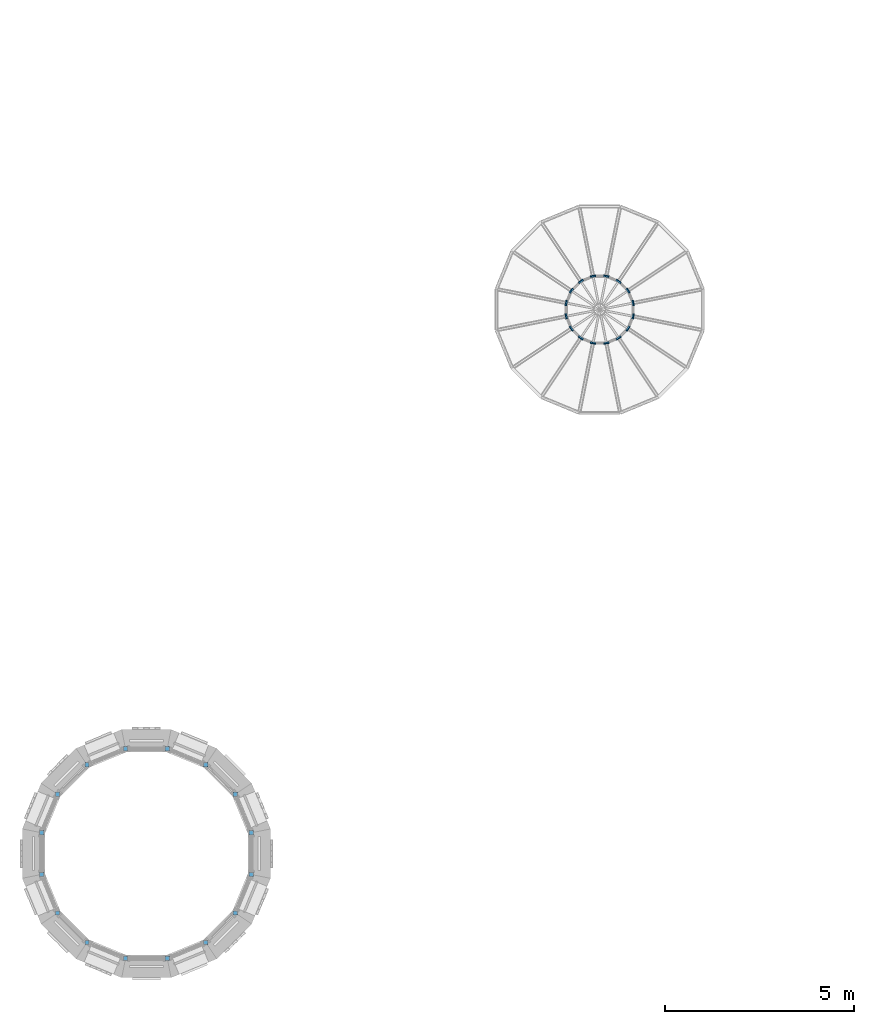
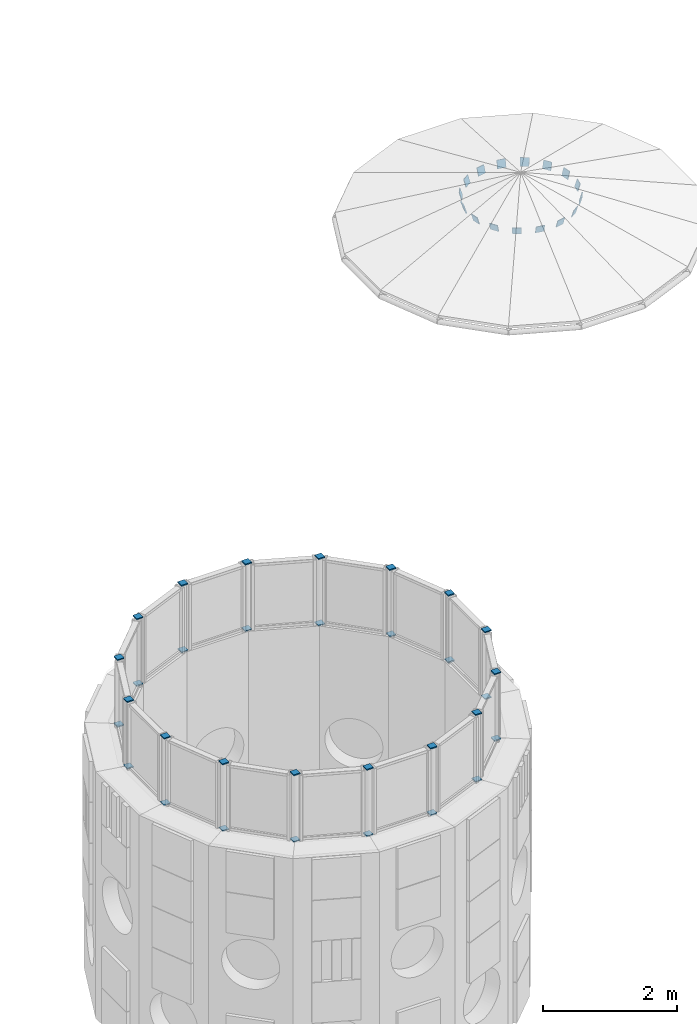
# One storey, part 29 of 36: 48 discrete accessories.
"""IFC4 building model written with IfcOpenShell, lengths in metres."""

from ifc_helpers import new_model, si_unit, direction, frame, origin, origin_2d, place, context, subcontext, project, spatial, rectangle, extrude, material, material_profile, profile_set, type_object, element, save


model = new_model("IFC4")

# Units and contexts
model_context = context("Model", 3, precision=1e-05, world=origin(), true_north=direction((0.0, 1.0)))
body_context = subcontext(model_context, "Body", "Model", "MODEL_VIEW")
ifc_project = project(units=[si_unit("LENGTHUNIT", "METRE"), si_unit("AREAUNIT", "SQUARE_METRE"), si_unit("VOLUMEUNIT", "CUBIC_METRE"), si_unit("PLANEANGLEUNIT", "RADIAN"), si_unit("MASSUNIT", "GRAM", prefix="KILO")], contexts=[model_context])

# Site, building, storey
site_placement = place(None, origin())
site = spatial("IfcSite", under=ifc_project, at=site_placement, CompositionType="ELEMENT")
building_placement = place(site_placement, origin())
building = spatial("IfcBuilding", under=site, at=building_placement, Name="Sun Court Science Centre", CompositionType="ELEMENT")
storey_placement = place(building_placement, frame((0.0, 0.0, 24.75)))
storey = spatial("IfcBuildingStorey", under=building, at=storey_placement, Name="L05", CompositionType="ELEMENT", Elevation=24.75)

# Discrete accessories
ifc_material_1 = material(Name="Steel S355", Category="steel")
discrete_accessory_type_1 = type_object("IfcDiscreteAccessoryType", Name="Hollow section end plate 20", PredefinedType="BRACKET", material=ifc_material_1)
for number, where, z_axis, x_axis, name in (
    (1, (8.77392578125, 12.0517578125, 4.179931640625), (0.0, 0.0, 1.0), (1.0, 0.0, 0.0), "Cone 1 clerestory post 1 end plate"),
    (2, (8.77392578125, 12.0517578125, 5.39990234375), (0.0, 0.0, 1.0), (1.0, 0.0, 0.0), "Cone 1 clerestory post 1 end plate"),
    (3, (8.3515625, 13.0712890625, 4.179931640625), (0.0, 0.0, 1.0), (1.0, 0.0, 0.0), "Cone 1 clerestory post 2 end plate"),
    (4, (8.3515625, 13.0712890625, 5.39990234375), (0.0, 0.0, 1.0), (1.0, 0.0, 0.0), "Cone 1 clerestory post 2 end plate"),
    (5, (7.5712890625, 13.8515625, 4.179931640625), (0.0, 0.0, 1.0), (1.0, 0.0, 0.0), "Cone 1 clerestory post 3 end plate"),
    (6, (7.5712890625, 13.8515625, 5.39990234375), (0.0, 0.0, 1.0), (1.0, 0.0, 0.0), "Cone 1 clerestory post 3 end plate"),
    (7, (6.5517578125, 14.27392578125, 4.179931640625), (0.0, 0.0, 1.0), (1.0, 0.0, 0.0), "Cone 1 clerestory post 4 end plate"),
    (8, (6.5517578125, 14.27392578125, 5.39990234375), (0.0, 0.0, 1.0), (1.0, 0.0, 0.0), "Cone 1 clerestory post 4 end plate"),
    (9, (5.4482421875, 14.27392578125, 4.179931640625), (0.0, 0.0, 1.0), (1.0, 0.0, 0.0), "Cone 1 clerestory post 5 end plate"),
    (10, (5.4482421875, 14.27392578125, 5.39990234375), (0.0, 0.0, 1.0), (1.0, 0.0, 0.0), "Cone 1 clerestory post 5 end plate"),
    (11, (4.4287109375, 13.8515625, 4.179931640625), (0.0, 0.0, 1.0), (1.0, 0.0, 0.0), "Cone 1 clerestory post 6 end plate"),
    (12, (4.4287109375, 13.8515625, 5.39990234375), (0.0, 0.0, 1.0), (1.0, 0.0, 0.0), "Cone 1 clerestory post 6 end plate"),
    (13, (3.6484375, 13.0712890625, 4.179931640625), (0.0, 0.0, 1.0), (1.0, 0.0, 0.0), "Cone 1 clerestory post 7 end plate"),
    (14, (3.6484375, 13.0712890625, 5.39990234375), (0.0, 0.0, 1.0), (1.0, 0.0, 0.0), "Cone 1 clerestory post 7 end plate"),
    (15, (3.22607421875, 12.0517578125, 4.179931640625), (0.0, 0.0, 1.0), (1.0, 0.0, 0.0), "Cone 1 clerestory post 8 end plate"),
    (16, (3.22607421875, 12.0517578125, 5.39990234375), (0.0, 0.0, 1.0), (1.0, 0.0, 0.0), "Cone 1 clerestory post 8 end plate"),
    (17, (3.22607421875, 10.9482421875, 4.179931640625), (0.0, 0.0, 1.0), (1.0, 0.0, 0.0), "Cone 1 clerestory post 9 end plate"),
    (18, (3.22607421875, 10.9482421875, 5.39990234375), (0.0, 0.0, 1.0), (1.0, 0.0, 0.0), "Cone 1 clerestory post 9 end plate"),
    (19, (3.6484375, 9.9287109375, 4.179931640625), (0.0, 0.0, 1.0), (1.0, 0.0, 0.0), "Cone 1 clerestory post 10 end plate"),
    (20, (3.6484375, 9.9287109375, 5.39990234375), (0.0, 0.0, 1.0), (1.0, 0.0, 0.0), "Cone 1 clerestory post 10 end plate"),
    (21, (4.4287109375, 9.1484375, 4.179931640625), (0.0, 0.0, 1.0), (1.0, 0.0, 0.0), "Cone 1 clerestory post 11 end plate"),
    (22, (4.4287109375, 9.1484375, 5.39990234375), (0.0, 0.0, 1.0), (1.0, 0.0, 0.0), "Cone 1 clerestory post 11 end plate"),
    (23, (5.4482421875, 8.72607421875, 4.179931640625), (0.0, 0.0, 1.0), (1.0, 0.0, 0.0), "Cone 1 clerestory post 12 end plate"),
    (24, (5.4482421875, 8.72607421875, 5.39990234375), (0.0, 0.0, 1.0), (1.0, 0.0, 0.0), "Cone 1 clerestory post 12 end plate"),
    (25, (6.5517578125, 8.72607421875, 4.179931640625), (0.0, 0.0, 1.0), (1.0, 0.0, 0.0), "Cone 1 clerestory post 13 end plate"),
    (26, (6.5517578125, 8.72607421875, 5.39990234375), (0.0, 0.0, 1.0), (1.0, 0.0, 0.0), "Cone 1 clerestory post 13 end plate"),
    (27, (7.5712890625, 9.1484375, 4.179931640625), (0.0, 0.0, 1.0), (1.0, 0.0, 0.0), "Cone 1 clerestory post 14 end plate"),
    (28, (7.5712890625, 9.1484375, 5.39990234375), (0.0, 0.0, 1.0), (1.0, 0.0, 0.0), "Cone 1 clerestory post 14 end plate"),
    (29, (8.3515625, 9.9287109375, 4.179931640625), (0.0, 0.0, 1.0), (1.0, 0.0, 0.0), "Cone 1 clerestory post 15 end plate"),
    (30, (8.3515625, 9.9287109375, 5.39990234375), (0.0, 0.0, 1.0), (1.0, 0.0, 0.0), "Cone 1 clerestory post 15 end plate"),
    (31, (8.77392578125, 10.9482421875, 4.179931640625), (0.0, 0.0, 1.0), (1.0, 0.0, 0.0), "Cone 1 clerestory post 16 end plate"),
    (32, (8.77392578125, 10.9482421875, 5.39990234375), (0.0, 0.0, 1.0), (1.0, 0.0, 0.0), "Cone 1 clerestory post 16 end plate"),
):
    element("IfcDiscreteAccessory", number, at=place(storey_placement, frame(where, z_axis=z_axis, x_axis=x_axis)), inside=storey, type_object=discrete_accessory_type_1, Name=name, PredefinedType="BRACKET", context=body_context, shape_type="SweptSolid", body=[
        extrude(rectangle(XDim=0.114013671875, YDim=0.114013671875, at=origin_2d()), origin(), (0.0, 0.0, 1.0), 0.02001953125),
    ])
ifc_material_2 = material(Name="Steel S355", Category="steel")
ifc_material_profile = material_profile(ifc_material_2, rectangle(XDim=0.139892578125, YDim=0.139892578125, at=origin_2d()), Name="PL 140x140")
ifc_profile_set = profile_set([ifc_material_profile], Name="Steel S355")
discrete_accessory_type_2 = type_object("IfcDiscreteAccessoryType", Name="Lantern node plate 140x140x12", PredefinedType="BRACKET", material=ifc_profile_set)
for number, where, z_axis, x_axis, name in (
    (33, (18.888427734375, 26.07666015625, 1.0322265625), (-0.942643106241, -0.180506126727, 0.280787308242), (0.188072270788, -0.982155191892, 0.0), "Lantern node plate 17"),
    (34, (18.753173828125, 26.4033203125, 1.0322265625), (-0.796029752168, -0.537320082713, 0.278610413259), (0.559472855001, -0.828848674076, 0.0), "Lantern node plate 18"),
):
    element("IfcDiscreteAccessory", number, at=place(storey_placement, frame(where, z_axis=z_axis, x_axis=x_axis)), inside=storey, type_object=discrete_accessory_type_2, Name=name, PredefinedType="BRACKET", context=body_context, shape_type="SweptSolid", body=[
        extrude(rectangle(XDim=0.139892578125, YDim=0.139892578125, at=origin_2d()), origin(), (0.0, 0.0, 1.0), 0.01220703125),
    ])
for number, where, z_axis, x_axis, name in (
    (35, (18.503173828125, 26.653076171875, 1.0322265625), (-0.531498445507, -0.79724766826, 0.286191470658), (0.832050294338, -0.554700196225, 0.0), "Lantern node plate 19"),
    (36, (18.1767578125, 26.788330078125, 1.0322265625), (-0.183980231137, -0.940343403589, 0.286191470658), (0.98139265486, -0.192011606386, 0.0), "Lantern node plate 20"),
    (37, (17.8232421875, 26.788330078125, 1.0322265625), (0.183980231137, -0.940343403589, 0.286191470658), (0.98139265486, 0.192011606386, 0.0), "Lantern node plate 21"),
    (38, (17.496826171875, 26.653076171875, 1.0322265625), (0.531498445507, -0.79724766826, 0.286191470658), (0.832050294338, 0.554700196225, 0.0), "Lantern node plate 22"),
):
    element("IfcDiscreteAccessory", number, at=place(storey_placement, frame(where, z_axis=z_axis, x_axis=x_axis)), inside=storey, type_object=discrete_accessory_type_2, Name=name, PredefinedType="BRACKET", context=body_context, shape_type="SweptSolid", body=[
        extrude(rectangle(XDim=0.139892578125, YDim=0.139892578125, at=origin_2d()), origin(), (0.0, 0.0, 1.0), 0.011962890625),
    ])
for number, where, z_axis, x_axis, name in (
    (39, (17.246826171875, 26.4033203125, 1.0322265625), (0.796029752168, -0.537320082713, 0.278610413259), (0.559472855001, 0.828848674076, 0.0), "Lantern node plate 23"),
    (40, (17.111572265625, 26.07666015625, 1.0322265625), (0.942643106241, -0.180506126727, 0.280787308242), (0.188072270788, 0.982155191892, 0.0), "Lantern node plate 24"),
    (41, (17.111572265625, 25.723388671875, 1.0322265625), (0.942643106241, 0.180506126727, 0.280787308242), (-0.188072270788, 0.982155191892, 0.0), "Lantern node plate 25"),
    (42, (17.246826171875, 25.396728515625, 1.0322265625), (0.804517986709, 0.522936691361, 0.281581295348), (-0.544988350595, 0.838443616301, 0.0), "Lantern node plate 26"),
):
    element("IfcDiscreteAccessory", number, at=place(storey_placement, frame(where, z_axis=z_axis, x_axis=x_axis)), inside=storey, type_object=discrete_accessory_type_2, Name=name, PredefinedType="BRACKET", context=body_context, shape_type="SweptSolid", body=[
        extrude(rectangle(XDim=0.139892578125, YDim=0.139892578125, at=origin_2d()), origin(), (0.0, 0.0, 1.0), 0.01220703125),
    ])
for number, where, z_axis, x_axis, name in (
    (43, (17.496826171875, 25.14697265625, 1.0322265625), (0.531498445507, 0.79724766826, 0.286191470658), (-0.832050294338, 0.554700196225, 0.0), "Lantern node plate 27"),
    (44, (17.8232421875, 25.01171875, 1.0322265625), (0.183980231137, 0.940343403589, 0.286191470658), (-0.98139265486, 0.192011606386, 0.0), "Lantern node plate 28"),
    (45, (18.1767578125, 25.01171875, 1.0322265625), (-0.183980231137, 0.940343403589, 0.286191470658), (-0.98139265486, -0.192011606386, 0.0), "Lantern node plate 29"),
    (46, (18.503173828125, 25.14697265625, 1.0322265625), (-0.531498445507, 0.79724766826, 0.286191470658), (-0.832050294338, -0.554700196225, 0.0), "Lantern node plate 30"),
):
    element("IfcDiscreteAccessory", number, at=place(storey_placement, frame(where, z_axis=z_axis, x_axis=x_axis)), inside=storey, type_object=discrete_accessory_type_2, Name=name, PredefinedType="BRACKET", context=body_context, shape_type="SweptSolid", body=[
        extrude(rectangle(XDim=0.139892578125, YDim=0.139892578125, at=origin_2d()), origin(), (0.0, 0.0, 1.0), 0.011962890625),
    ])
for number, where, z_axis, x_axis, name in (
    (47, (18.753173828125, 25.396728515625, 1.0322265625), (-0.804517986709, 0.522936691361, 0.281581295348), (-0.544988350595, -0.838443616301, 0.0), "Lantern node plate 31"),
    (48, (18.888427734375, 25.723388671875, 1.0322265625), (-0.942643106241, 0.180506126727, 0.280787308242), (-0.188072270788, -0.982155191892, 0.0), "Lantern node plate 32"),
):
    element("IfcDiscreteAccessory", number, at=place(storey_placement, frame(where, z_axis=z_axis, x_axis=x_axis)), inside=storey, type_object=discrete_accessory_type_2, Name=name, PredefinedType="BRACKET", context=body_context, shape_type="SweptSolid", body=[
        extrude(rectangle(XDim=0.139892578125, YDim=0.139892578125, at=origin_2d()), origin(), (0.0, 0.0, 1.0), 0.01220703125),
    ])

save(model, "model.ifc")
